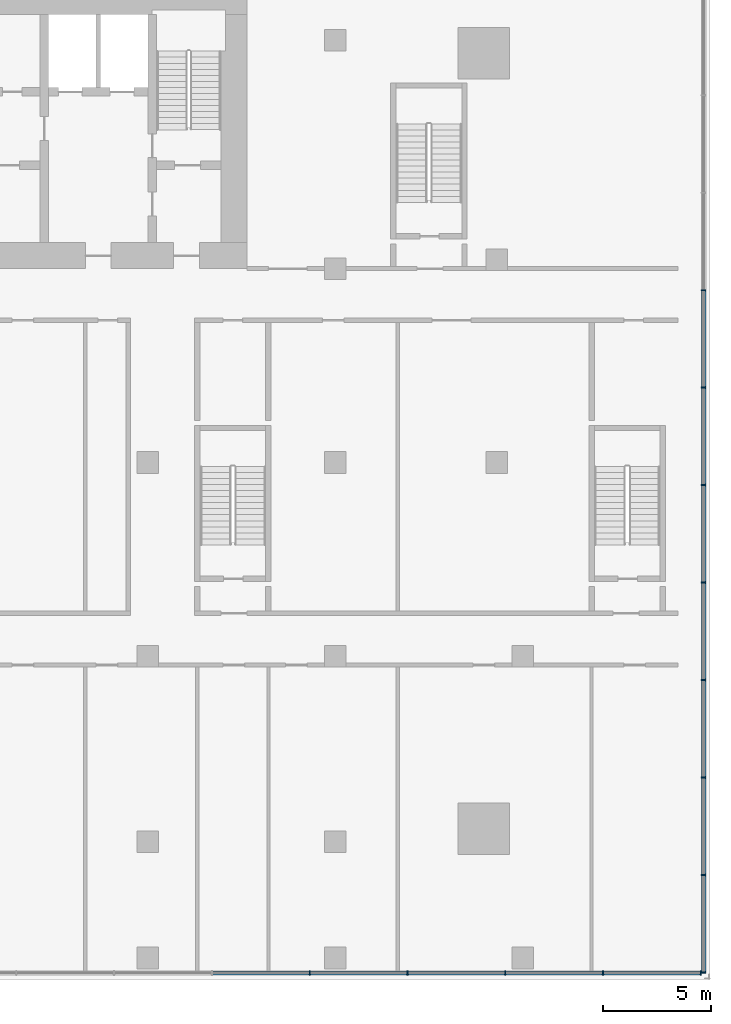
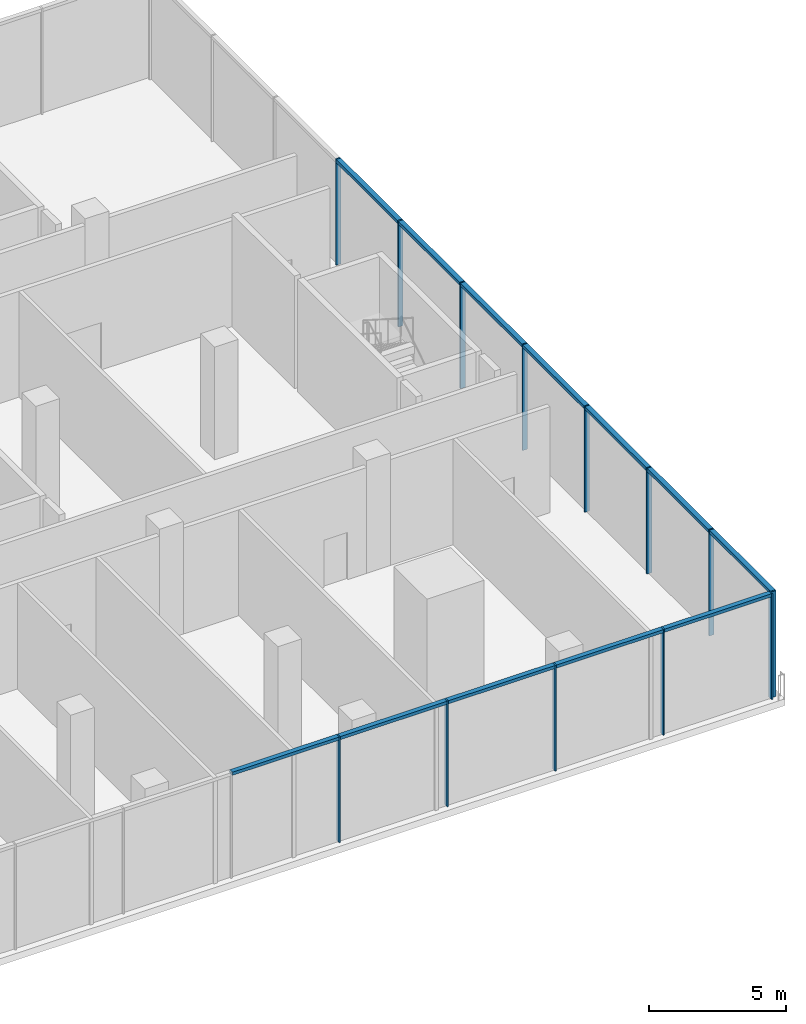
# One storey, part 7 of 20: 25 members, 2 elements without a shape of their own.
"""IFC4 building model written with IfcOpenShell, lengths in metres."""

from ifc_helpers import new_model, si_unit, direction, frame, origin, origin_2d, place, context, subcontext, project, spatial, rectangle, extrude, material, material_profile, profile_set, type_object, element, aggregate, save


model = new_model("IFC4")

# Units and contexts
model_context = context("Model", 3, precision=1e-05, world=origin(), true_north=direction((0.0, 1.0)))
body_context = subcontext(model_context, "Body", "Model", "MODEL_VIEW")
ifc_project = project(units=[si_unit("LENGTHUNIT", "METRE"), si_unit("AREAUNIT", "SQUARE_METRE"), si_unit("VOLUMEUNIT", "CUBIC_METRE"), si_unit("PLANEANGLEUNIT", "RADIAN"), si_unit("MASSUNIT", "GRAM", prefix="KILO")], contexts=[model_context])

# Site, building, storey
site_placement = place(None, origin())
site = spatial("IfcSite", under=ifc_project, at=site_placement, CompositionType="ELEMENT")
building_placement = place(site_placement, origin())
building = spatial("IfcBuilding", under=site, at=building_placement, Name="Bicima Exchange Tower", CompositionType="ELEMENT")
storey_placement = place(building_placement, frame((0.0, 0.0, 25.0)))
storey = spatial("IfcBuildingStorey", under=building, at=storey_placement, Name="L04", CompositionType="ELEMENT", Elevation=25.0)

# Curtain wall, members
ifc_material = material(Name="Anodised bronze aluminium", Category="aluminium")
curtain_wall_type = type_object("IfcCurtainWallType", Name="Lobby glazing", PredefinedType="NOTDEFINED", material=ifc_material)
curtain_wall_1_placement = place(storey_placement, origin())
curtain_wall_1 = element("IfcCurtainWall", 1, at=curtain_wall_1_placement, inside=storey, type_object=curtain_wall_type, Name="Podium glazing L04 south 1", PredefinedType="NOTDEFINED")
ifc_material_profile_1 = material_profile(ifc_material, rectangle(XDim=0.199951171875, YDim=0.06005859375, at=origin_2d()))
ifc_profile_set_1 = profile_set([ifc_material_profile_1], Name="Anodised bronze aluminium")
member_type_1 = type_object("IfcMemberType", Name="Lobby glazing mullion 60 x 200", PredefinedType="MULLION", material=ifc_profile_set_1)
member_1_placement = place(storey_placement, frame((24.914306640625, -45.699951171875, 0.0), z_axis=(0.0, 0.0, 1.0), x_axis=(0.0, 1.0, 0.0)))
member_1 = element("IfcMember", 2, at=member_1_placement, type_object=member_type_1, Name="Lobby glazing mullion 16", PredefinedType="MULLION", context=body_context, shape_type="SweptSolid", body=[
    extrude(rectangle(XDim=0.199951171875, YDim=0.06005859375, at=origin_2d()), origin(), (0.0, 0.0, 1.0), 4.699951171875),
])
member_2_placement = place(storey_placement, frame((29.453125, -45.699951171875, 0.0), z_axis=(0.0, 0.0, 1.0), x_axis=(0.0, 1.0, 0.0)))
member_2 = element("IfcMember", 3, at=member_2_placement, type_object=member_type_1, Name="Lobby glazing mullion 17", PredefinedType="MULLION", context=body_context, shape_type="SweptSolid", body=[
    extrude(rectangle(XDim=0.199951171875, YDim=0.06005859375, at=origin_2d()), origin(), (0.0, 0.0, 1.0), 4.699951171875),
])
member_3_placement = place(storey_placement, frame((33.9921875, -45.699951171875, 0.0), z_axis=(0.0, 0.0, 1.0), x_axis=(0.0, 1.0, 0.0)))
member_3 = element("IfcMember", 4, at=member_3_placement, type_object=member_type_1, Name="Lobby glazing mullion 18", PredefinedType="MULLION", context=body_context, shape_type="SweptSolid", body=[
    extrude(rectangle(XDim=0.199951171875, YDim=0.06005859375, at=origin_2d()), origin(), (0.0, 0.0, 1.0), 4.699951171875),
])
member_4_placement = place(storey_placement, frame((38.531005859375, -45.699951171875, 0.0), z_axis=(0.0, 0.0, 1.0), x_axis=(0.0, 1.0, 0.0)))
member_4 = element("IfcMember", 5, at=member_4_placement, type_object=member_type_1, Name="Lobby glazing mullion 19", PredefinedType="MULLION", context=body_context, shape_type="SweptSolid", body=[
    extrude(rectangle(XDim=0.199951171875, YDim=0.06005859375, at=origin_2d()), origin(), (0.0, 0.0, 1.0), 4.699951171875),
])
member_5_placement = place(storey_placement, frame((43.070068359375, -45.699951171875, 0.0), z_axis=(0.0, 0.0, 1.0), x_axis=(0.0, 1.0, 0.0)))
member_5 = element("IfcMember", 6, at=member_5_placement, type_object=member_type_1, Name="Lobby glazing mullion 20", PredefinedType="MULLION", context=body_context, shape_type="SweptSolid", body=[
    extrude(rectangle(XDim=0.199951171875, YDim=0.06005859375, at=origin_2d()), origin(), (0.0, 0.0, 1.0), 4.699951171875),
])

curtain_wall_2_placement = place(storey_placement, origin())
curtain_wall_2 = element("IfcCurtainWall", 7, at=curtain_wall_2_placement, inside=storey, type_object=curtain_wall_type, Name="Podium glazing L04 east 1", PredefinedType="NOTDEFINED")
member_6_placement = place(storey_placement, frame((43.199951171875, -45.669921875, 0.0), z_axis=(0.0, 0.0, 1.0), x_axis=(-1.0, 0.0, 0.0)))
member_6 = element("IfcMember", 8, at=member_6_placement, type_object=member_type_1, Name="Lobby glazing mullion 1", PredefinedType="MULLION", context=body_context, shape_type="SweptSolid", body=[
    extrude(rectangle(XDim=0.199951171875, YDim=0.06005859375, at=origin_2d()), origin(), (0.0, 0.0, 1.0), 4.699951171875),
])
member_7_placement = place(storey_placement, frame((43.199951171875, -41.14599609375, 0.0), z_axis=(0.0, 0.0, 1.0), x_axis=(-1.0, 0.0, 0.0)))
member_7 = element("IfcMember", 9, at=member_7_placement, type_object=member_type_1, Name="Lobby glazing mullion 2", PredefinedType="MULLION", context=body_context, shape_type="SweptSolid", body=[
    extrude(rectangle(XDim=0.199951171875, YDim=0.06005859375, at=origin_2d()), origin(), (0.0, 0.0, 1.0), 4.699951171875),
])
member_8_placement = place(storey_placement, frame((43.199951171875, -36.6220703125, 0.0), z_axis=(0.0, 0.0, 1.0), x_axis=(-1.0, 0.0, 0.0)))
member_8 = element("IfcMember", 10, at=member_8_placement, type_object=member_type_1, Name="Lobby glazing mullion 3", PredefinedType="MULLION", context=body_context, shape_type="SweptSolid", body=[
    extrude(rectangle(XDim=0.199951171875, YDim=0.06005859375, at=origin_2d()), origin(), (0.0, 0.0, 1.0), 4.699951171875),
])
member_9_placement = place(storey_placement, frame((43.199951171875, -32.097900390625, 0.0), z_axis=(0.0, 0.0, 1.0), x_axis=(-1.0, 0.0, 0.0)))
member_9 = element("IfcMember", 11, at=member_9_placement, type_object=member_type_1, Name="Lobby glazing mullion 4", PredefinedType="MULLION", context=body_context, shape_type="SweptSolid", body=[
    extrude(rectangle(XDim=0.199951171875, YDim=0.06005859375, at=origin_2d()), origin(), (0.0, 0.0, 1.0), 4.699951171875),
])
member_10_placement = place(storey_placement, frame((43.199951171875, -27.573974609375, 0.0), z_axis=(0.0, 0.0, 1.0), x_axis=(-1.0, 0.0, 0.0)))
member_10 = element("IfcMember", 12, at=member_10_placement, type_object=member_type_1, Name="Lobby glazing mullion 5", PredefinedType="MULLION", context=body_context, shape_type="SweptSolid", body=[
    extrude(rectangle(XDim=0.199951171875, YDim=0.06005859375, at=origin_2d()), origin(), (0.0, 0.0, 1.0), 4.699951171875),
])
member_11_placement = place(storey_placement, frame((43.199951171875, -23.050048828125, 0.0), z_axis=(0.0, 0.0, 1.0), x_axis=(-1.0, 0.0, 0.0)))
member_11 = element("IfcMember", 13, at=member_11_placement, type_object=member_type_1, Name="Lobby glazing mullion 6", PredefinedType="MULLION", context=body_context, shape_type="SweptSolid", body=[
    extrude(rectangle(XDim=0.199951171875, YDim=0.06005859375, at=origin_2d()), origin(), (0.0, 0.0, 1.0), 4.699951171875),
])
member_12_placement = place(storey_placement, frame((43.199951171875, -18.52587890625, 0.0), z_axis=(0.0, 0.0, 1.0), x_axis=(-1.0, 0.0, 0.0)))
member_12 = element("IfcMember", 14, at=member_12_placement, type_object=member_type_1, Name="Lobby glazing mullion 7", PredefinedType="MULLION", context=body_context, shape_type="SweptSolid", body=[
    extrude(rectangle(XDim=0.199951171875, YDim=0.06005859375, at=origin_2d()), origin(), (0.0, 0.0, 1.0), 4.699951171875),
])
member_13_placement = place(storey_placement, frame((43.199951171875, -14.001953125, 0.0), z_axis=(0.0, 0.0, 1.0), x_axis=(-1.0, 0.0, 0.0)))
member_13 = element("IfcMember", 15, at=member_13_placement, type_object=member_type_1, Name="Lobby glazing mullion 8", PredefinedType="MULLION", context=body_context, shape_type="SweptSolid", body=[
    extrude(rectangle(XDim=0.199951171875, YDim=0.06005859375, at=origin_2d()), origin(), (0.0, 0.0, 1.0), 4.699951171875),
])

# Member
ifc_material_profile_2 = material_profile(ifc_material, rectangle(XDim=0.199951171875, YDim=0.139892578125, at=origin_2d()))
ifc_profile_set_2 = profile_set([ifc_material_profile_2], Name="Anodised bronze aluminium")
member_type_2 = type_object("IfcMemberType", Name="Lobby glazing transom 140 x 200", PredefinedType="USERDEFINED", material=ifc_profile_set_2)
member_14_placement = place(storey_placement, frame((20.4052734375, -45.699951171875, 4.6298828125), z_axis=(1.0, 0.0, 0.0), x_axis=(0.0, 1.0, 0.0)))
member_14 = element("IfcMember", 16, at=member_14_placement, type_object=member_type_2, Name="Lobby glazing transom 15.1", ObjectType="TRANSOM", PredefinedType="USERDEFINED", context=body_context, shape_type="SweptSolid", body=[
    extrude(rectangle(XDim=0.199951171875, YDim=0.139892578125, at=origin_2d()), origin(), (0.0, 0.0, 1.0), 4.47900390625),
])

member_15_placement = place(storey_placement, frame((24.944091796875, -45.699951171875, 4.6298828125), z_axis=(1.0, 0.0, 0.0), x_axis=(0.0, 1.0, 0.0)))
member_15 = element("IfcMember", 17, at=member_15_placement, type_object=member_type_2, Name="Lobby glazing transom 16.1", ObjectType="TRANSOM", PredefinedType="USERDEFINED", context=body_context, shape_type="SweptSolid", body=[
    extrude(rectangle(XDim=0.199951171875, YDim=0.139892578125, at=origin_2d()), origin(), (0.0, 0.0, 1.0), 4.47900390625),
])

member_16_placement = place(storey_placement, frame((29.483154296875, -45.699951171875, 4.6298828125), z_axis=(1.0, 0.0, 0.0), x_axis=(0.0, 1.0, 0.0)))
member_16 = element("IfcMember", 18, at=member_16_placement, type_object=member_type_2, Name="Lobby glazing transom 17.1", ObjectType="TRANSOM", PredefinedType="USERDEFINED", context=body_context, shape_type="SweptSolid", body=[
    extrude(rectangle(XDim=0.199951171875, YDim=0.139892578125, at=origin_2d()), origin(), (0.0, 0.0, 1.0), 4.47900390625),
])

member_17_placement = place(storey_placement, frame((34.022216796875, -45.699951171875, 4.6298828125), z_axis=(1.0, 0.0, 0.0), x_axis=(0.0, 1.0, 0.0)))
member_17 = element("IfcMember", 19, at=member_17_placement, type_object=member_type_2, Name="Lobby glazing transom 18.1", ObjectType="TRANSOM", PredefinedType="USERDEFINED", context=body_context, shape_type="SweptSolid", body=[
    extrude(rectangle(XDim=0.199951171875, YDim=0.139892578125, at=origin_2d()), origin(), (0.0, 0.0, 1.0), 4.47900390625),
])

member_18_placement = place(storey_placement, frame((38.56103515625, -45.699951171875, 4.6298828125), z_axis=(1.0, 0.0, 0.0), x_axis=(0.0, 1.0, 0.0)))
member_18 = element("IfcMember", 20, at=member_18_placement, type_object=member_type_2, Name="Lobby glazing transom 19.1", ObjectType="TRANSOM", PredefinedType="USERDEFINED", context=body_context, shape_type="SweptSolid", body=[
    extrude(rectangle(XDim=0.199951171875, YDim=0.139892578125, at=origin_2d()), origin(), (0.0, 0.0, 1.0), 4.47900390625),
])

aggregate(curtain_wall_1, [member_1, member_2, member_3, member_4, member_5, member_14, member_15, member_16, member_17, member_18])

member_19_placement = place(storey_placement, frame((43.199951171875, -45.639892578125, 4.6298828125), z_axis=(0.0, 1.0, 0.0), x_axis=(-1.0, 0.0, 0.0)))
member_19 = element("IfcMember", 21, at=member_19_placement, type_object=member_type_2, Name="Lobby glazing transom 1.1", ObjectType="TRANSOM", PredefinedType="USERDEFINED", context=body_context, shape_type="SweptSolid", body=[
    extrude(rectangle(XDim=0.199951171875, YDim=0.139892578125, at=origin_2d()), origin(), (0.0, 0.0, 1.0), 4.4638671875),
])

member_20_placement = place(storey_placement, frame((43.199951171875, -41.115966796875, 4.6298828125), z_axis=(0.0, 1.0, 0.0), x_axis=(-1.0, 0.0, 0.0)))
member_20 = element("IfcMember", 22, at=member_20_placement, type_object=member_type_2, Name="Lobby glazing transom 2.1", ObjectType="TRANSOM", PredefinedType="USERDEFINED", context=body_context, shape_type="SweptSolid", body=[
    extrude(rectangle(XDim=0.199951171875, YDim=0.139892578125, at=origin_2d()), origin(), (0.0, 0.0, 1.0), 4.4638671875),
])

member_21_placement = place(storey_placement, frame((43.199951171875, -36.592041015625, 4.6298828125), z_axis=(0.0, 1.0, 0.0), x_axis=(-1.0, 0.0, 0.0)))
member_21 = element("IfcMember", 23, at=member_21_placement, type_object=member_type_2, Name="Lobby glazing transom 3.1", ObjectType="TRANSOM", PredefinedType="USERDEFINED", context=body_context, shape_type="SweptSolid", body=[
    extrude(rectangle(XDim=0.199951171875, YDim=0.139892578125, at=origin_2d()), origin(), (0.0, 0.0, 1.0), 4.464111328125),
])

member_22_placement = place(storey_placement, frame((43.199951171875, -32.068115234375, 4.6298828125), z_axis=(0.0, 1.0, 0.0), x_axis=(-1.0, 0.0, 0.0)))
member_22 = element("IfcMember", 24, at=member_22_placement, type_object=member_type_2, Name="Lobby glazing transom 4.1", ObjectType="TRANSOM", PredefinedType="USERDEFINED", context=body_context, shape_type="SweptSolid", body=[
    extrude(rectangle(XDim=0.199951171875, YDim=0.139892578125, at=origin_2d()), origin(), (0.0, 0.0, 1.0), 4.464111328125),
])

member_23_placement = place(storey_placement, frame((43.199951171875, -27.5439453125, 4.6298828125), z_axis=(0.0, 1.0, 0.0), x_axis=(-1.0, 0.0, 0.0)))
member_23 = element("IfcMember", 25, at=member_23_placement, type_object=member_type_2, Name="Lobby glazing transom 5.1", ObjectType="TRANSOM", PredefinedType="USERDEFINED", context=body_context, shape_type="SweptSolid", body=[
    extrude(rectangle(XDim=0.199951171875, YDim=0.139892578125, at=origin_2d()), origin(), (0.0, 0.0, 1.0), 4.4638671875),
])

member_24_placement = place(storey_placement, frame((43.199951171875, -23.02001953125, 4.6298828125), z_axis=(0.0, 1.0, 0.0), x_axis=(-1.0, 0.0, 0.0)))
member_24 = element("IfcMember", 26, at=member_24_placement, type_object=member_type_2, Name="Lobby glazing transom 6.1", ObjectType="TRANSOM", PredefinedType="USERDEFINED", context=body_context, shape_type="SweptSolid", body=[
    extrude(rectangle(XDim=0.199951171875, YDim=0.139892578125, at=origin_2d()), origin(), (0.0, 0.0, 1.0), 4.464111328125),
])

member_25_placement = place(storey_placement, frame((43.199951171875, -18.49609375, 4.6298828125), z_axis=(0.0, 1.0, 0.0), x_axis=(-1.0, 0.0, 0.0)))
member_25 = element("IfcMember", 27, at=member_25_placement, type_object=member_type_2, Name="Lobby glazing transom 7.1", ObjectType="TRANSOM", PredefinedType="USERDEFINED", context=body_context, shape_type="SweptSolid", body=[
    extrude(rectangle(XDim=0.199951171875, YDim=0.139892578125, at=origin_2d()), origin(), (0.0, 0.0, 1.0), 4.464111328125),
])

aggregate(curtain_wall_2, [member_6, member_7, member_8, member_9, member_10, member_11, member_12, member_13, member_19, member_20, member_21, member_22, member_23, member_24, member_25])

save(model, "model.ifc")
